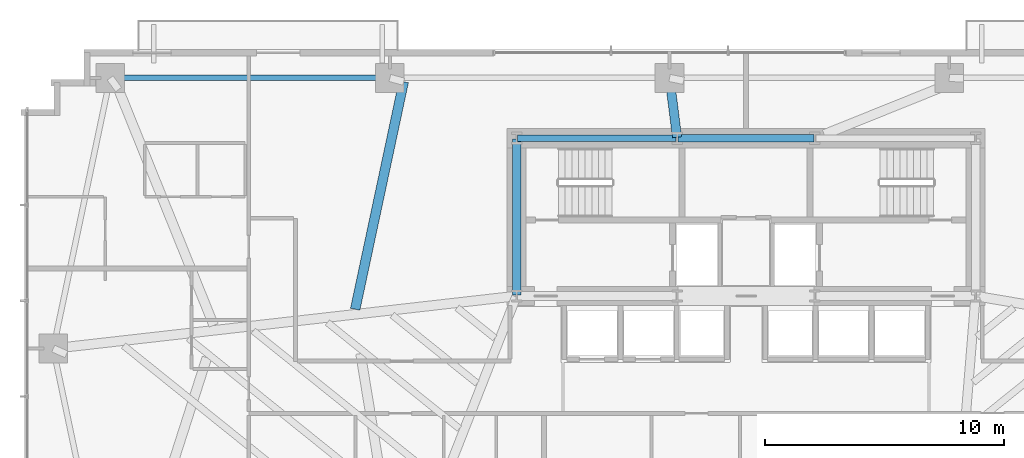
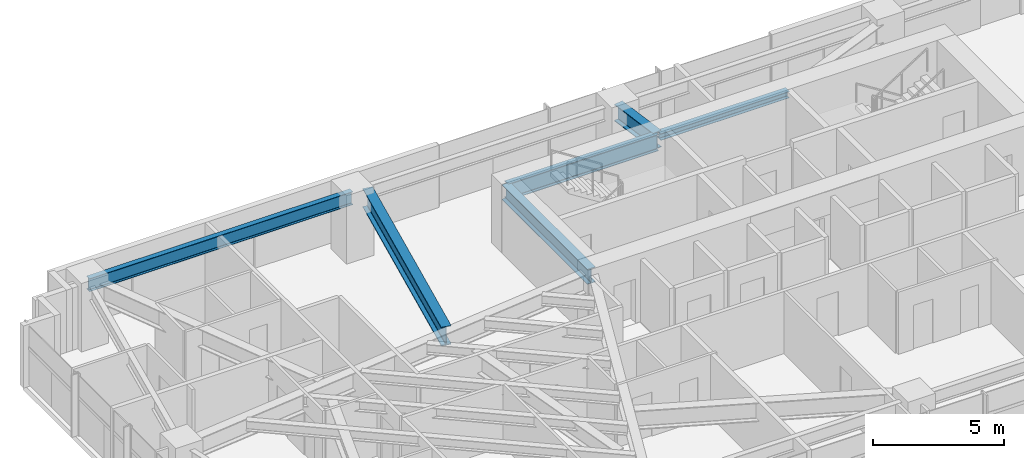
# One storey, part 9 of 25: 6 beams.
"""IFC4 building model written with IfcOpenShell, lengths in metres."""

import ifcopenshell
import ifcopenshell.guid

model = None  # the IFC model being written
_history = None  # IfcOwnerHistory: only IFC2X3 demands one
_inside = {}  # id of a spatial element -> (the spatial element, [elements in it])
_under = {}  # id of a project, library or spatial element -> (it, [spatial elements below it])
_declared = {}  # id of a project -> (the project, [libraries it declares])
_typed = {}  # id of a type object -> (the type object, [elements of that type])
_made_of = {}  # id of a material, layer set ... -> (it, [elements and type objects made of it])


def new_model(schema):
    """Start an empty IFC model of exactly this schema.

    Asked for "IFC4X3", IfcOpenShell would pick the latest addendum, in which some entities
    have other attributes; the version numbers below select the first issue.
    IFC2X3 requires an IfcOwnerHistory on every rooted entity: one is made here for all.
    """
    global model, _history
    if schema == "IFC4X3":
        model = ifcopenshell.file(schema_version=(4, 3, 0, 0))
    else:
        model = ifcopenshell.file(schema=schema)
    _inside.clear()
    _under.clear()
    _declared.clear()
    _typed.clear()
    _made_of.clear()
    _history = None
    if model.schema == "IFC2X3":
        org = make("IfcOrganization", Name="unknown")
        user = make(
            "IfcPersonAndOrganization",
            ThePerson=make("IfcPerson", FamilyName="unknown"),
            TheOrganization=org,
        )
        app = make(
            "IfcApplication",
            ApplicationDeveloper=org,
            Version="unknown",
            ApplicationFullName="unknown",
            ApplicationIdentifier="unknown",
        )
        _history = make(
            "IfcOwnerHistory",
            OwningUser=user,
            OwningApplication=app,
            ChangeAction="ADDED",
            CreationDate=0,
        )
    return model


def make(cls, **values):
    """One entity of the class cls with the attributes given. An attribute that is None is left unset."""
    return model.create_entity(
        cls, **{name: value for name, value in values.items() if value is not None}
    )


def rooted(cls, **values):
    """An entity with a GlobalId (a new one), such as an element, a storey or a relation."""
    return make(cls, GlobalId=ifcopenshell.guid.new(), OwnerHistory=_history, **values)


def si_unit(unit_type, name, prefix=None):
    """IfcSIUnit, for example si_unit("LENGTHUNIT", "METRE", prefix="MILLI")."""
    return make("IfcSIUnit", UnitType=unit_type, Prefix=prefix, Name=name)


def assignment(units):
    """IfcUnitAssignment: the units of a project."""
    return None if units is None else make("IfcUnitAssignment", Units=units)


def point(xyz):
    """IfcCartesianPoint."""
    return None if xyz is None else make("IfcCartesianPoint", Coordinates=xyz)


def direction(xyz):
    """IfcDirection."""
    return None if xyz is None else make("IfcDirection", DirectionRatios=xyz)


def frame(location, z_axis=None, x_axis=None):
    """IfcAxis2Placement3D, a coordinate frame: its origin and axes. An axis left out is left unset."""
    return make(
        "IfcAxis2Placement3D",
        Location=point(location),
        Axis=direction(z_axis),
        RefDirection=direction(x_axis),
    )


def frame_2d(location, x_axis=None):
    """IfcAxis2Placement2D, a coordinate frame in the plane: its origin and x axis."""
    return make(
        "IfcAxis2Placement2D", Location=point(location), RefDirection=direction(x_axis)
    )


def origin():
    """The frame at (0, 0, 0) with its axes left unset."""
    return frame((0.0, 0.0, 0.0))


def origin_2d():
    """The frame at (0, 0) in the plane with its x axis left unset."""
    return frame_2d((0.0, 0.0))


def place(relative_to, where):
    """IfcLocalPlacement: puts the frame where relative to a parent placement (None: the world)."""
    return make(
        "IfcLocalPlacement", PlacementRelTo=relative_to, RelativePlacement=where
    )


def context(
    kind, dimensions, precision=None, world=None, true_north=None, identifier=None
):
    """IfcGeometricRepresentationContext, for example the 3D "Model" context."""
    return make(
        "IfcGeometricRepresentationContext",
        ContextIdentifier=identifier,
        ContextType=kind,
        CoordinateSpaceDimension=dimensions,
        Precision=precision,
        WorldCoordinateSystem=world,
        TrueNorth=true_north,
    )


def subcontext(parent, identifier, kind, view, scale=None):
    """IfcGeometricRepresentationSubContext, for example "Body" below "Model"."""
    return make(
        "IfcGeometricRepresentationSubContext",
        ContextIdentifier=identifier,
        ContextType=kind,
        ParentContext=parent,
        TargetScale=scale,
        TargetView=view,
    )


def project(units=None, contexts=None):
    """IfcProject with its units and contexts."""
    return rooted(
        "IfcProject",
        Name="project",
        RepresentationContexts=contexts,
        UnitsInContext=assignment(units),
    )


def spatial(cls, under=None, at=None, **own):
    """A site, building, storey or space (cls), placed at a placement, below another one or the project."""
    s = rooted(cls, ObjectPlacement=at, **own)
    if under is not None:
        _under.setdefault(under.id(), (under, []))[1].append(s)
    return s


def profile(cls, at=None, kind="AREA", **sizes):
    """A parametric profile (cls). Its sizes go by their IFC names, for example OverallWidth=200.0."""
    return make(cls, ProfileType=kind, Position=at, **sizes)


def i_section(**sizes):
    """IfcIShapeProfileDef."""
    return profile("IfcIShapeProfileDef", **sizes)


def extrude(swept, where, along, depth):
    """IfcExtrudedAreaSolid: the profile swept, set in the frame where, extruded along a direction by depth."""
    return make(
        "IfcExtrudedAreaSolid",
        SweptArea=swept,
        Position=where,
        ExtrudedDirection=direction(along),
        Depth=depth,
    )


def shape(context_of_items, identifier, shape_type, items):
    """IfcShapeRepresentation: the items that make up one representation, for example the "Body"."""
    return make(
        "IfcShapeRepresentation",
        ContextOfItems=context_of_items,
        RepresentationIdentifier=identifier,
        RepresentationType=shape_type,
        Items=items,
    )


def source(mapping_origin, context_of_items, identifier, shape_type, items):
    """IfcRepresentationMap: a shape defined once, which mapped items show again and again."""
    return make(
        "IfcRepresentationMap",
        MappingOrigin=mapping_origin,
        MappedRepresentation=shape(context_of_items, identifier, shape_type, items),
    )


def transform(
    local_origin,
    x_axis=None,
    y_axis=None,
    z_axis=None,
    scale=None,
    scale2=None,
    scale3=None,
    uniform=True,
):
    """IfcCartesianTransformationOperator3D, or its non-uniform kind. x_axis, y_axis, z_axis: its Axis1, 2, 3."""
    if uniform:
        return make(
            "IfcCartesianTransformationOperator3D",
            Axis1=direction(x_axis),
            Axis2=direction(y_axis),
            LocalOrigin=point(local_origin),
            Scale=scale,
            Axis3=direction(z_axis),
        )
    return make(
        "IfcCartesianTransformationOperator3DnonUniform",
        Axis1=direction(x_axis),
        Axis2=direction(y_axis),
        LocalOrigin=point(local_origin),
        Scale=scale,
        Axis3=direction(z_axis),
        Scale2=scale2,
        Scale3=scale3,
    )


def mapped(mapping_source, mapping_target):
    """IfcMappedItem: shows the shape of a source again, moved by a transform."""
    return make(
        "IfcMappedItem", MappingSource=mapping_source, MappingTarget=mapping_target
    )


def material(Name=None, Category=None):
    """IfcMaterial."""
    return make("IfcMaterial", Name=Name, Category=Category)


def material_profile(
    of_material, cross_section, Name=None, Category=None, Priority=None
):
    """IfcMaterialProfile: a cross section and its material."""
    return make(
        "IfcMaterialProfile",
        Name=Name,
        Material=of_material,
        Profile=cross_section,
        Priority=Priority,
        Category=Category,
    )


def profile_set(profiles, Name=None, composite=None):
    """IfcMaterialProfileSet."""
    return make(
        "IfcMaterialProfileSet",
        Name=Name,
        MaterialProfiles=profiles,
        CompositeProfile=composite,
    )


def made_of(thing, what):
    """Note that an element or type object is made of a material, layer set ...; save() writes the relation."""
    if what is not None:
        _made_of.setdefault(what.id(), (what, []))[1].append(thing)
    return thing


def type_object(cls, material=None, **own):
    """A type object (cls), such as IfcWallType, which elements share."""
    return made_of(rooted(cls, **own), material)


def type_shapes(of_type, sources):
    """Give a type object the sources (RepresentationMaps) that its elements show as mapped items."""
    of_type.RepresentationMaps = sources


def element(
    cls,
    number,
    at=None,
    inside=None,
    cuts=None,
    type_object=None,
    material=None,
    context=None,
    identifier="Body",
    shape_type=None,
    held_by="IfcProductDefinitionShape",
    body=None,
    shapes=None,
    **own,
):
    """One element of the class cls, such as IfcWall. Its Tag is "e" and its number.

    at: its placement. inside: the storey or other place that contains it. cuts: it is an
    opening in that element (IfcRelVoidsElement). A single representation is given by context,
    identifier, shape_type and body (its items); several are given by shapes. held_by: the class
    of the entity that holds the representations. save() writes the other relations.
    """
    e = rooted(cls, Tag="e%d" % number, ObjectPlacement=at, **own)
    if body is not None:
        shapes = [shape(context, identifier, shape_type, body)]
    if shapes is not None:
        e.Representation = make(held_by, Representations=shapes)
    if inside is not None:
        _inside.setdefault(inside.id(), (inside, []))[1].append(e)
    if cuts is not None:
        rooted(
            "IfcRelVoidsElement", RelatingBuildingElement=cuts, RelatedOpeningElement=e
        )
    if type_object is not None:
        _typed.setdefault(type_object.id(), (type_object, []))[1].append(e)
    return made_of(e, material)


def aggregate(whole, parts):
    """IfcRelAggregates: a whole, such as a stair, and the parts it consists of."""
    return rooted("IfcRelAggregates", RelatingObject=whole, RelatedObjects=parts)


def save(model, path):
    """Write the relations noted so far, then the file.

    IfcRelAggregates (storeys below a building ...), IfcRelContainedInSpatialStructure (elements
    in a storey), IfcRelDefinesByType, IfcRelAssociatesMaterial and IfcRelDeclares: one each for
    every whole, place, type object, material and project.
    """
    for whole, parts in _under.values():
        aggregate(whole, parts)
    for where, things in _inside.values():
        rooted(
            "IfcRelContainedInSpatialStructure",
            RelatedElements=things,
            RelatingStructure=where,
        )
    for kind, things in _typed.values():
        rooted("IfcRelDefinesByType", RelatedObjects=things, RelatingType=kind)
    for what, things in _made_of.values():
        rooted("IfcRelAssociatesMaterial", RelatedObjects=things, RelatingMaterial=what)
    for by, libraries in _declared.values():
        rooted("IfcRelDeclares", RelatingContext=by, RelatedDefinitions=libraries)
    model.write(path)


model = new_model("IFC4")

# Units and contexts
model_context = context("Model", 3, precision=1e-05, world=origin(), true_north=direction((0.0, 1.0)))
body_context = subcontext(model_context, "Body", "Model", "MODEL_VIEW")
ifc_project = project(units=[si_unit("LENGTHUNIT", "METRE"), si_unit("AREAUNIT", "SQUARE_METRE"), si_unit("VOLUMEUNIT", "CUBIC_METRE"), si_unit("PLANEANGLEUNIT", "RADIAN"), si_unit("MASSUNIT", "GRAM", prefix="KILO")], contexts=[model_context])

# Site, building, storey
site_placement = place(None, origin())
site = spatial("IfcSite", under=ifc_project, at=site_placement, CompositionType="ELEMENT")
building_placement = place(site_placement, origin())
building = spatial("IfcBuilding", under=site, at=building_placement, Name="Astriad Promenade Condominiums", CompositionType="ELEMENT")
storey_placement = place(building_placement, frame((0.0, 0.0, 64.60009765625)))
storey = spatial("IfcBuildingStorey", under=building, at=storey_placement, Name="L18", CompositionType="ELEMENT", Elevation=64.60009765625)

# Beams
ifc_material = material(Name="Steel ASTM A992 Grade 50", Category="steel")
ifc_material_profile_1 = material_profile(ifc_material, i_section(OverallWidth=0.267822265625, OverallDepth=0.76953125, WebThickness=0.015625, FlangeThickness=0.025390625, FilletRadius=0.021484375, at=origin_2d()), Name="W30X132")
ifc_profile_set_1 = profile_set([ifc_material_profile_1], Name="Steel ASTM A992 Grade 50")
beam_type_1 = type_object("IfcBeamType", Name="STEEL FLOOR GIRDER W30X132", PredefinedType="BEAM", material=ifc_profile_set_1)
shared_shape_1 = source(origin(), body_context, "Body", "SweptSolid", [
    extrude(i_section(OverallWidth=0.267822265625, OverallDepth=0.76953125, WebThickness=0.015625, FlangeThickness=0.025390625, FilletRadius=0.021484375, at=origin_2d()), origin(), (0.0, 0.0, 1.0), 6.64013671875),
])
type_shapes(beam_type_1, [shared_shape_1])
beam_1_placement = place(storey_placement, frame((26.43994140625, 24.0, 2.51513671875), z_axis=(1.0, 0.0, 0.0), x_axis=(0.0, 1.0, 0.0)))
element("IfcBeam", 1, at=beam_1_placement, inside=storey, type_object=beam_type_1, Name="Core Ring Beam CG-N1-L18", PredefinedType="BEAM", context=body_context, shape_type="MappedRepresentation", body=[
    mapped(shared_shape_1, transform((0.0, 0.0, 0.0), scale=1.0)),
])
ifc_material_profile_2 = material_profile(ifc_material, i_section(OverallWidth=0.3046875, OverallDepth=0.307861328125, WebThickness=0.010009765625, FlangeThickness=0.015380859375, FilletRadius=0.01513671875, at=origin_2d()), Name="W12X65")
ifc_profile_set_2 = profile_set([ifc_material_profile_2], Name="Steel ASTM A992 Grade 50")
beam_type_2 = type_object("IfcBeamType", Name="STEEL OPENING LINTEL W12X65", PredefinedType="LINTEL", material=ifc_profile_set_2)
shared_shape_2 = source(origin(), body_context, "Body", "SweptSolid", [
    extrude(i_section(OverallWidth=0.3046875, OverallDepth=0.307861328125, WebThickness=0.010009765625, FlangeThickness=0.015380859375, FilletRadius=0.01513671875, at=origin_2d()), origin(), (0.0, 0.0, 1.0), 5.68017578125),
])
type_shapes(beam_type_2, [shared_shape_2])
beam_2_placement = place(storey_placement, frame((33.159912109375, 24.0, 2.74609375), z_axis=(1.0, 0.0, 0.0), x_axis=(0.0, 1.0, 0.0)))
element("IfcBeam", 2, at=beam_2_placement, inside=storey, type_object=beam_type_2, Name="Core Ring Beam CG-N2-L18", PredefinedType="LINTEL", context=body_context, shape_type="MappedRepresentation", body=[
    mapped(shared_shape_2, transform((0.0, 0.0, 0.0), scale=1.0)),
])
ifc_material_profile_3 = material_profile(ifc_material, i_section(OverallWidth=0.35791015625, OverallDepth=0.706298828125, WebThickness=0.018310546875, FlangeThickness=0.0302734375, FilletRadius=0.020263671875, at=origin_2d()), Name="W27X178")
ifc_profile_set_3 = profile_set([ifc_material_profile_3], Name="Steel ASTM A992 Grade 50")
beam_type_3 = type_object("IfcBeamType", Name="STEEL FLOOR GIRDER W27X178", PredefinedType="BEAM", material=ifc_profile_set_3)
shared_shape_3 = source(origin(), body_context, "Body", "SweptSolid", [
    extrude(i_section(OverallWidth=0.35791015625, OverallDepth=0.706298828125, WebThickness=0.018310546875, FlangeThickness=0.0302734375, FilletRadius=0.020263671875, at=origin_2d()), origin(), (0.0, 0.0, 1.0), 6.52001953125),
])
type_shapes(beam_type_3, [shared_shape_3])
beam_3_placement = place(storey_placement, frame((26.39990234375, 17.43994140625, 2.546630859375), z_axis=(0.0, 1.0, 0.0), x_axis=(-1.0, 0.0, 0.0)))
element("IfcBeam", 3, at=beam_3_placement, inside=storey, type_object=beam_type_3, Name="Core Ring Beam CG-W1-L18", PredefinedType="BEAM", context=body_context, shape_type="MappedRepresentation", body=[
    mapped(shared_shape_3, transform((0.0, 0.0, 0.0), scale=1.0)),
])
ifc_material_profile_4 = material_profile(ifc_material, i_section(OverallWidth=0.22900390625, OverallDepth=0.612060546875, WebThickness=0.011962890625, FlangeThickness=0.01953125, FilletRadius=0.017822265625, at=origin_2d()), Name="W24X84")
ifc_profile_set_4 = profile_set([ifc_material_profile_4], Name="Steel ASTM A992 Grade 50")
beam_type_4 = type_object("IfcBeamType", Name="STEEL SPANDREL BEAM W24X84", PredefinedType="SPANDREL", material=ifc_profile_set_4)
shared_shape_4 = source(origin(), body_context, "Body", "SweptSolid", [
    extrude(i_section(OverallWidth=0.22900390625, OverallDepth=0.612060546875, WebThickness=0.011962890625, FlangeThickness=0.01953125, FilletRadius=0.017822265625, at=origin_2d()), origin(), (0.0, 0.0, 1.0), 11.6201171875),
])
type_shapes(beam_type_4, [shared_shape_4])
beam_4_placement = place(storey_placement, frame((21.06005859375, 26.52001953125, 2.593994140625), z_axis=(-1.0, 0.0, 0.0), x_axis=(0.0, -1.0, 0.0)))
element("IfcBeam", 4, at=beam_4_placement, inside=storey, type_object=beam_type_4, Name="Perimeter Spandrel Beam SP-N1-L18", PredefinedType="SPANDREL", context=body_context, shape_type="MappedRepresentation", body=[
    mapped(shared_shape_4, transform((0.0, 0.0, 0.0), scale=1.0)),
])
ifc_material_profile_5 = material_profile(ifc_material, i_section(OverallWidth=0.3837890625, OverallDepth=0.785888671875, WebThickness=0.019775390625, FlangeThickness=0.033447265625, FilletRadius=0.021484375, at=origin_2d()), Name="W30X211")
ifc_profile_set_5 = profile_set([ifc_material_profile_5], Name="Steel ASTM A992 Grade 50")
beam_type_5 = type_object("IfcBeamType", Name="STEEL FLOOR GIRDER W30X211", PredefinedType="BEAM", material=ifc_profile_set_5)
shared_shape_5 = source(origin(), body_context, "Body", "SweptSolid", [
    extrude(i_section(OverallWidth=0.3837890625, OverallDepth=0.785888671875, WebThickness=0.019775390625, FlangeThickness=0.033447265625, FilletRadius=0.021484375, at=origin_2d()), origin(), (0.0, 0.0, 1.0), 2.4599609375),
])
type_shapes(beam_type_5, [shared_shape_5])
beam_5_placement = place(storey_placement, frame((32.804931640625, 26.480224609375, 2.507080078125), z_axis=(0.126037648346, -0.992025458947, 0.0), x_axis=(0.992025458947, 0.126037648346, 0.0)))
element("IfcBeam", 5, at=beam_5_placement, inside=storey, type_object=beam_type_5, Name="Primary Floor Girder PG-NC-L18", PredefinedType="BEAM", context=body_context, shape_type="MappedRepresentation", body=[
    mapped(shared_shape_5, transform((0.0, 0.0, 0.0), scale=1.0)),
])
ifc_material_profile_6 = material_profile(ifc_material, i_section(OverallWidth=0.4013671875, OverallDepth=0.877197265625, WebThickness=0.022216796875, FlangeThickness=0.039794921875, FilletRadius=0.02294921875, at=origin_2d()), Name="W33X263")
ifc_profile_set_6 = profile_set([ifc_material_profile_6], Name="Steel ASTM A992 Grade 50")
beam_type_6 = type_object("IfcBeamType", Name="STEEL TRANSFER CARRIER GIRDER W33X263", PredefinedType="BEAM", material=ifc_profile_set_6)
shared_shape_6 = source(origin(), body_context, "Body", "SweptSolid", [
    extrude(i_section(OverallWidth=0.4013671875, OverallDepth=0.877197265625, WebThickness=0.022216796875, FlangeThickness=0.039794921875, FilletRadius=0.02294921875, at=origin_2d()), origin(), (0.0, 0.0, 1.0), 9.73095703125),
])
type_shapes(beam_type_6, [shared_shape_6])
beam_6_placement = place(storey_placement, frame((19.6513671875, 16.845458984375, 2.461181640625), z_axis=(0.20851464624, 0.978019244342, 0.0), x_axis=(-0.978019244342, 0.20851464624, 0.0)))
element("IfcBeam", 6, at=beam_6_placement, inside=storey, type_object=beam_type_6, Name="Transfer Splice Carrier TRM-SP-PC07-L18", PredefinedType="BEAM", context=body_context, shape_type="MappedRepresentation", body=[
    mapped(shared_shape_6, transform((0.0, 0.0, 0.0), scale=1.0)),
])

save(model, "model.ifc")
